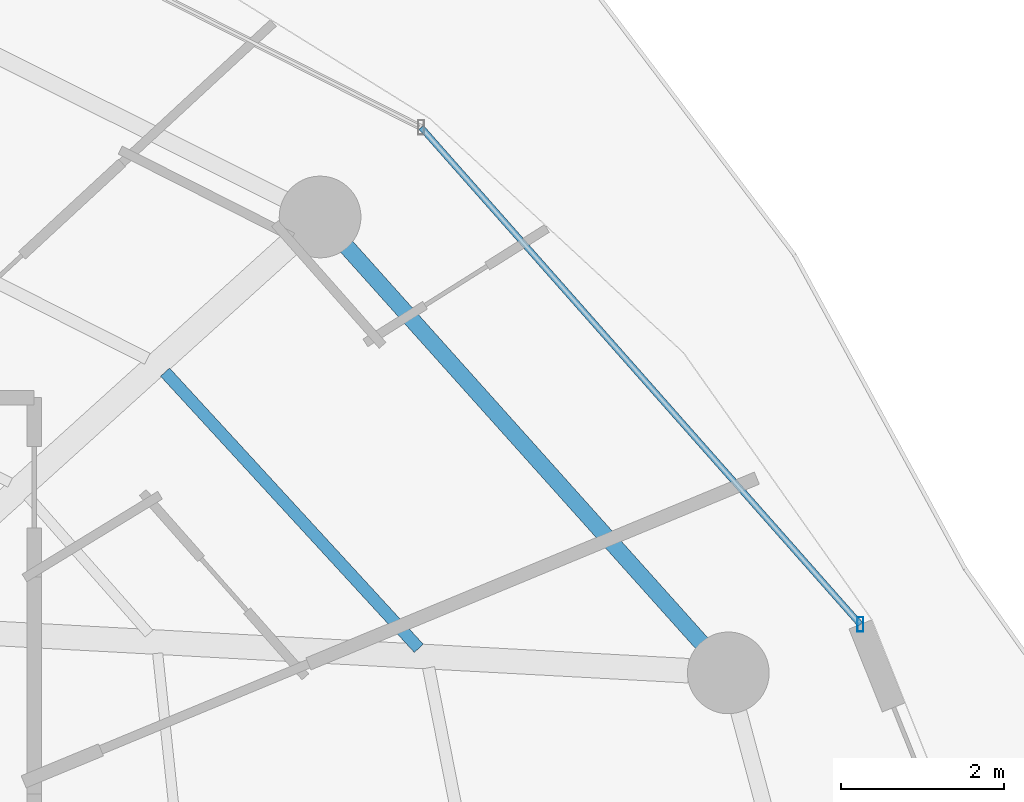
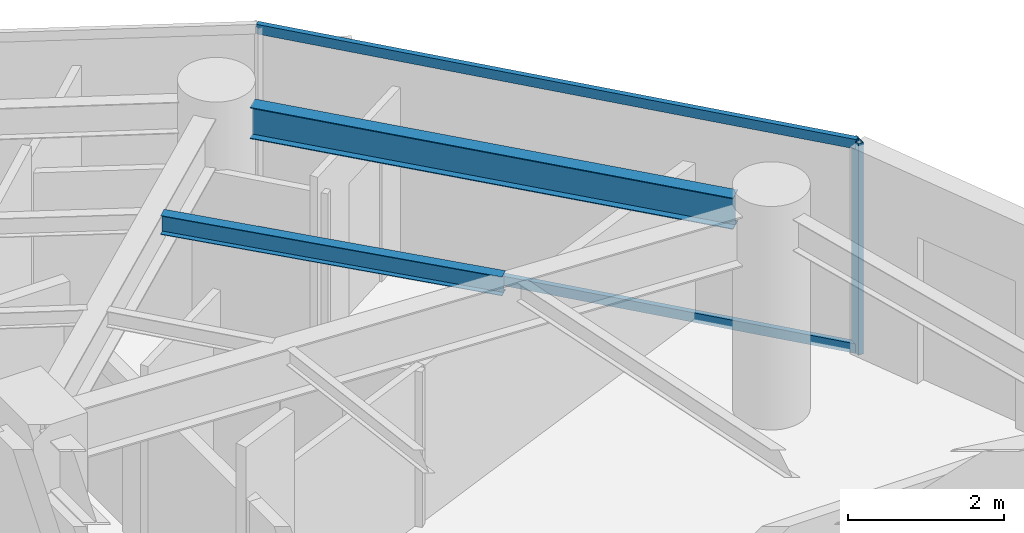
# One storey, part 13 of 28: 3 members, 2 beams, 1 element without a shape of its own.
"""IFC4 building model written with IfcOpenShell, lengths in metres."""

from ifc_helpers import new_model, si_unit, direction, frame, origin, origin_2d, place, context, subcontext, project, spatial, hollow_rectangle, i_section, extrude, material, material_profile, profile_set, type_object, element, aggregate, save


model = new_model("IFC4")

# Units and contexts
model_context = context("Model", 3, precision=1e-05, world=origin(), true_north=direction((0.0, 1.0)))
body_context = subcontext(model_context, "Body", "Model", "MODEL_VIEW")
ifc_project = project(units=[si_unit("LENGTHUNIT", "METRE"), si_unit("AREAUNIT", "SQUARE_METRE"), si_unit("VOLUMEUNIT", "CUBIC_METRE"), si_unit("PLANEANGLEUNIT", "RADIAN"), si_unit("MASSUNIT", "GRAM", prefix="KILO")], contexts=[model_context])

# Site, building, storey
site_placement = place(None, origin())
site = spatial("IfcSite", under=ifc_project, at=site_placement, CompositionType="ELEMENT")
building_placement = place(site_placement, origin())
building = spatial("IfcBuilding", under=site, at=building_placement, Name="Vorneva Point Tower", CompositionType="ELEMENT")
storey_placement = place(building_placement, frame((0.0, 0.0, 146.60009765625)))
storey = spatial("IfcBuildingStorey", under=building, at=storey_placement, Name="L39", CompositionType="ELEMENT", Elevation=146.60009765625)

# Beams
ifc_material_1 = material(Name="Steel S355", Category="steel")
ifc_material_profile_1 = material_profile(ifc_material_1, i_section(OverallWidth=0.14892578125, OverallDepth=0.298095703125, WebThickness=0.005615234375, FlangeThickness=0.008056640625, at=origin_2d()), Name="30B1")
ifc_profile_set_1 = profile_set([ifc_material_profile_1], Name="Steel S355")
beam_type_1 = type_object("IfcBeamType", Name="BM-JST-30B1", PredefinedType="JOIST", material=ifc_profile_set_1)
beam_1_placement = place(storey_placement, frame((55.507568359375, 32.8828125, 3.0908203125), z_axis=(-0.676639317831, 0.736314629465, 0.0), x_axis=(-0.736314629465, -0.676639317831, 0.0)))
element("IfcBeam", 1, at=beam_1_placement, inside=storey, type_object=beam_type_1, Name="L39 Secondary Floor Beam 1.02", PredefinedType="JOIST", context=body_context, shape_type="SweptSolid", body=[
    extrude(i_section(OverallWidth=0.14892578125, OverallDepth=0.298095703125, WebThickness=0.005615234375, FlangeThickness=0.008056640625, at=origin_2d()), origin(), (0.0, 0.0, 1.0), 4.59033203125),
])
ifc_material_profile_2 = material_profile(ifc_material_1, i_section(OverallWidth=0.199951171875, OverallDepth=0.491943359375, WebThickness=0.0087890625, FlangeThickness=0.011962890625, at=origin_2d()), Name="50B1")
ifc_profile_set_2 = profile_set([ifc_material_profile_2], Name="Steel S355")
beam_type_2 = type_object("IfcBeamType", Name="BM-SPN-50B1", PredefinedType="SPANDREL", material=ifc_profile_set_2)
beam_2_placement = place(storey_placement, frame((58.971923828125, 32.943603515625, 2.993896484375), z_axis=(-0.667111118975, 0.74495822362, 0.0), x_axis=(-0.74495822362, -0.667111118975, 0.0)))
element("IfcBeam", 2, at=beam_2_placement, inside=storey, type_object=beam_type_2, Name="L39 Perimeter Spandrel Ring Beam 02", PredefinedType="SPANDREL", context=body_context, shape_type="SweptSolid", body=[
    extrude(i_section(OverallWidth=0.199951171875, OverallDepth=0.491943359375, WebThickness=0.0087890625, FlangeThickness=0.011962890625, at=origin_2d()), origin(), (0.0, 0.0, 1.0), 6.52001953125),
])

# Curtain wall, members
ifc_material_2 = material(Name="Pale anodised aluminium", Category="aluminium")
curtain_wall_type = type_object("IfcCurtainWallType", Name="CW-RES-SYS", PredefinedType="NOTDEFINED", material=ifc_material_2)
curtain_wall_placement = place(storey_placement, origin())
curtain_wall = element("IfcCurtainWall", 3, at=curtain_wall_placement, inside=storey, type_object=curtain_wall_type, Name="L39 Unitised Curtain Wall CW-L39-R01", PredefinedType="NOTDEFINED")
ifc_material_profile_3 = material_profile(ifc_material_2, hollow_rectangle(XDim=0.074951171875, YDim=0.179931640625, WallThickness=0.00390625, at=origin_2d()), Name="AL-MUL 180x75x4")
ifc_profile_set_3 = profile_set([ifc_material_profile_3], Name="Pale anodised aluminium")
member_type_1 = type_object("IfcMemberType", Name="CW-MUL-180", PredefinedType="MULLION", material=ifc_profile_set_3)
member_1_placement = place(storey_placement, frame((60.912109375, 33.17529296875, -0.0400390625), z_axis=(0.0, 0.0, 1.0), x_axis=(1.0, 0.0, 0.0)))
member_1 = element("IfcMember", 4, at=member_1_placement, type_object=member_type_1, Name="CW-L39-R01 Mullion 01", PredefinedType="MULLION", context=body_context, shape_type="SweptSolid", body=[
    extrude(hollow_rectangle(XDim=0.074951171875, YDim=0.179931640625, WallThickness=0.00390625, at=origin_2d()), origin(), (0.0, 0.0, 1.0), 3.31005859375),
])
ifc_material_profile_4 = material_profile(ifc_material_2, hollow_rectangle(XDim=0.074951171875, YDim=0.14990234375, WallThickness=0.00390625, at=origin_2d()), Name="AL-TRN 150x75x4")
ifc_profile_set_4 = profile_set([ifc_material_profile_4], Name="Pale anodised aluminium")
member_type_2 = type_object("IfcMemberType", Name="CW-TRN-150", PredefinedType="USERDEFINED", material=ifc_profile_set_4)
member_2_placement = place(storey_placement, frame((60.912109375, 33.17529296875, 0.02001953125), z_axis=(-0.662218216609, 0.749311039283, 0.0), x_axis=(-0.749311039283, -0.662218216609, 0.0)))
member_2 = element("IfcMember", 5, at=member_2_placement, type_object=member_type_2, Name="CW-L39-R01 Transom 01.1", ObjectType="TRANSOM", PredefinedType="USERDEFINED", context=body_context, shape_type="SweptSolid", body=[
    extrude(hollow_rectangle(XDim=0.074951171875, YDim=0.14990234375, WallThickness=0.00390625, at=origin_2d()), origin(), (0.0, 0.0, 1.0), 8.1181640625),
])
member_3_placement = place(storey_placement, frame((60.912109375, 33.17529296875, 3.219970703125), z_axis=(-0.662218216609, 0.749311039283, 0.0), x_axis=(-0.749311039283, -0.662218216609, 0.0)))
member_3 = element("IfcMember", 6, at=member_3_placement, type_object=member_type_2, Name="CW-L39-R01 Transom 01.2", ObjectType="TRANSOM", PredefinedType="USERDEFINED", context=body_context, shape_type="SweptSolid", body=[
    extrude(hollow_rectangle(XDim=0.074951171875, YDim=0.14990234375, WallThickness=0.00390625, at=origin_2d()), origin(), (0.0, 0.0, 1.0), 8.1181640625),
])
aggregate(curtain_wall, [member_1, member_2, member_3])

save(model, "model.ifc")
